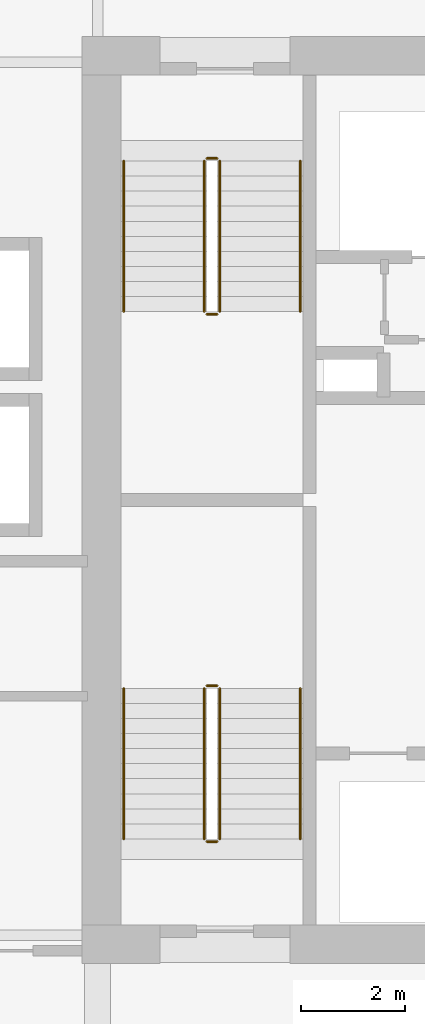
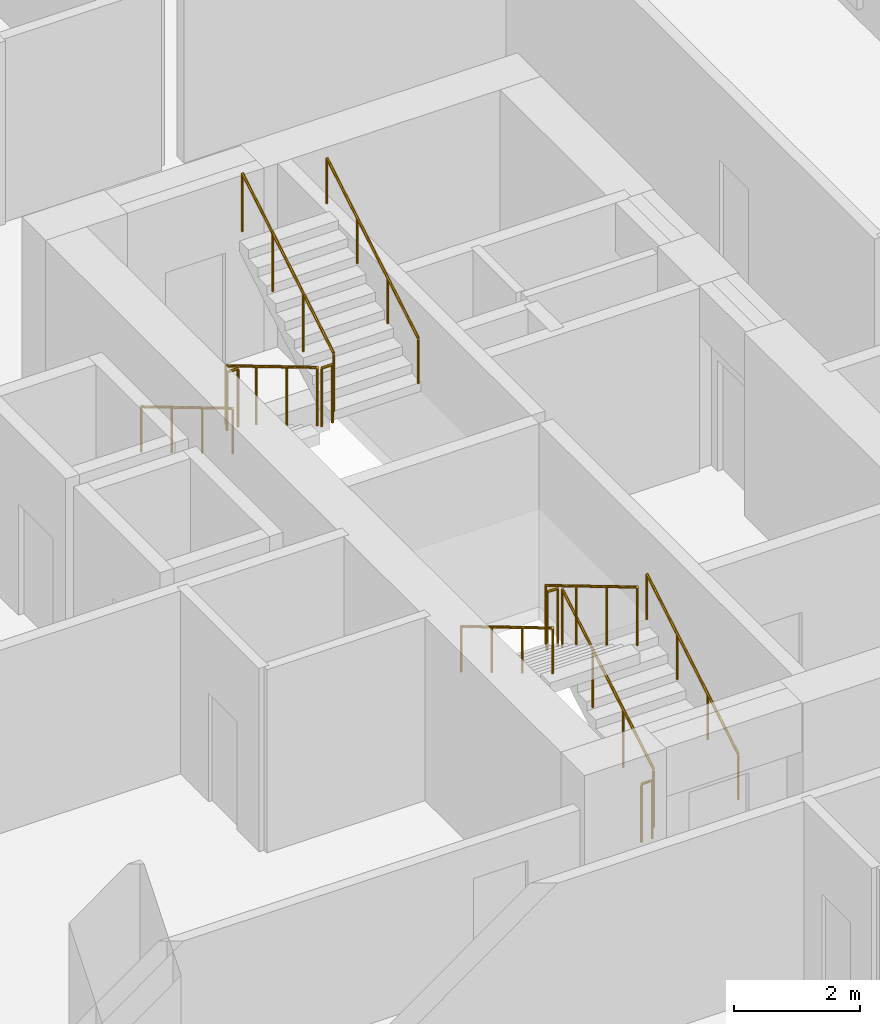
# One storey, part 21 of 22: 12 railings.
"""IFC4 building model written with IfcOpenShell, lengths in metres."""

from ifc_helpers import new_model, si_unit, direction, frame, origin, origin_2d, place, context, subcontext, project, spatial, circle, extrude, material, type_object, element, save


model = new_model("IFC4")

# Units and contexts
model_context = context("Model", 3, precision=1e-05, world=origin(), true_north=direction((0.0, 1.0)))
body_context = subcontext(model_context, "Body", "Model", "MODEL_VIEW")
ifc_project = project(units=[si_unit("LENGTHUNIT", "METRE"), si_unit("AREAUNIT", "SQUARE_METRE"), si_unit("VOLUMEUNIT", "CUBIC_METRE"), si_unit("PLANEANGLEUNIT", "RADIAN"), si_unit("MASSUNIT", "GRAM", prefix="KILO")], contexts=[model_context])

# Site, building, storey
site_placement = place(None, origin())
site = spatial("IfcSite", under=ifc_project, at=site_placement, CompositionType="ELEMENT")
building_placement = place(site_placement, origin())
building = spatial("IfcBuilding", under=site, at=building_placement, Name="Koriwani Terraces Tower", CompositionType="ELEMENT")
storey_placement = place(building_placement, frame((0.0, 0.0, 141.800048828125)))
storey = spatial("IfcBuildingStorey", under=building, at=storey_placement, Name="L34", CompositionType="ELEMENT", Elevation=141.800048828125)

# Railings
ifc_material = material(Name="Steel ASTM A572 Grade 50", Category="steel")
railing_type_1 = type_object("IfcRailingType", Name="GUARD_STAIR_WELL_1120", PredefinedType="GUARDRAIL", material=ifc_material)
railing_1_placement = place(storey_placement, frame((19.14990234375, 43.85009765625, 0.172607421875)))
element("IfcRailing", 1, at=railing_1_placement, inside=storey, type_object=railing_type_1, Name="L34 ST-W1 stair guard 1", PredefinedType="GUARDRAIL", context=body_context, shape_type="SweptSolid", body=[
    extrude(circle(Radius=0.02392578125, at=origin_2d()), frame((0.0, 0.0, 1.1259765625), z_axis=(0.0, 0.859141464434, 0.511738159696), x_axis=(-1.0, 0.0, 0.0)), (0.0, 0.0, 1.0), 3.375244140625),
    extrude(circle(Radius=0.02099609375, at=origin_2d()), origin(), (0.0, 0.0, 1.0), 1.101806640625),
    extrude(circle(Radius=0.02099609375, at=origin_2d()), frame((0.0, 0.966552734375, 0.57568359375)), (0.0, 0.0, 1.0), 1.101806640625),
    extrude(circle(Radius=0.02099609375, at=origin_2d()), frame((0.0, 1.933349609375, 1.151611328125)), (0.0, 0.0, 1.0), 1.101806640625),
    extrude(circle(Radius=0.02099609375, at=origin_2d()), frame((0.0, 2.89990234375, 1.727294921875)), (0.0, 0.0, 1.0), 1.101806640625),
])
railing_2_placement = place(storey_placement, frame((19.10009765625, 46.800048828125, 1.89990234375)))
element("IfcRailing", 2, at=railing_2_placement, inside=storey, type_object=railing_type_1, Name="L34 ST-W1 stair guard 2", PredefinedType="GUARDRAIL", context=body_context, shape_type="SweptSolid", body=[
    extrude(circle(Radius=0.02392578125, at=origin_2d()), frame((0.0, 0.0, 1.1259765625), z_axis=(-1.0, 0.0, 0.0), x_axis=(0.0, -1.0, 0.0)), (0.0, 0.0, 1.0), 0.2001953125),
    extrude(circle(Radius=0.02099609375, at=origin_2d()), origin(), (0.0, 0.0, 1.0), 1.101806640625),
    extrude(circle(Radius=0.02099609375, at=origin_2d()), frame((-0.2001953125, 0.0, 0.0)), (0.0, 0.0, 1.0), 1.101806640625),
])
railing_3_placement = place(storey_placement, frame((18.85009765625, 46.75, 2.07275390625)))
element("IfcRailing", 3, at=railing_3_placement, inside=storey, type_object=railing_type_1, Name="L34 ST-W1 stair guard 3", PredefinedType="GUARDRAIL", context=body_context, shape_type="SweptSolid", body=[
    extrude(circle(Radius=0.02392578125, at=origin_2d()), frame((0.0, 0.0, 1.1259765625), z_axis=(0.0, -0.859141464434, 0.511738159696), x_axis=(1.0, 0.0, 0.0)), (0.0, 0.0, 1.0), 3.375244140625),
    extrude(circle(Radius=0.02099609375, at=origin_2d()), origin(), (0.0, 0.0, 1.0), 1.101806640625),
    extrude(circle(Radius=0.02099609375, at=origin_2d()), frame((0.0, -0.966552734375, 0.57568359375)), (0.0, 0.0, 1.0), 1.101806640625),
    extrude(circle(Radius=0.02099609375, at=origin_2d()), frame((0.0, -1.933349609375, 1.151611328125)), (0.0, 0.0, 1.0), 1.101806640625),
    extrude(circle(Radius=0.02099609375, at=origin_2d()), frame((0.0, -2.89990234375, 1.727294921875)), (0.0, 0.0, 1.0), 1.101806640625),
])
railing_4_placement = place(storey_placement, frame((19.10009765625, 43.800048828125, 0.0)))
element("IfcRailing", 4, at=railing_4_placement, inside=storey, type_object=railing_type_1, Name="L34 ST-W1 stair guard 4", PredefinedType="GUARDRAIL", context=body_context, shape_type="SweptSolid", body=[
    extrude(circle(Radius=0.02392578125, at=origin_2d()), frame((0.0, 0.0, 1.1259765625), z_axis=(-1.0, 0.0, 0.0), x_axis=(0.0, -1.0, 0.0)), (0.0, 0.0, 1.0), 0.2001953125),
    extrude(circle(Radius=0.02099609375, at=origin_2d()), origin(), (0.0, 0.0, 1.0), 1.101806640625),
    extrude(circle(Radius=0.02099609375, at=origin_2d()), frame((-0.2001953125, 0.0, 0.0)), (0.0, 0.0, 1.0), 1.101806640625),
])
railing_5_placement = place(storey_placement, frame((18.85009765625, 56.89990234375, 0.172607421875)))
element("IfcRailing", 5, at=railing_5_placement, inside=storey, type_object=railing_type_1, Name="L34 ST-W2 stair guard 1", PredefinedType="GUARDRAIL", context=body_context, shape_type="SweptSolid", body=[
    extrude(circle(Radius=0.02392578125, at=origin_2d()), frame((0.0, 0.0, 1.1259765625), z_axis=(0.0, -0.859141464434, 0.511738159696), x_axis=(1.0, 0.0, 0.0)), (0.0, 0.0, 1.0), 3.375244140625),
    extrude(circle(Radius=0.02099609375, at=origin_2d()), origin(), (0.0, 0.0, 1.0), 1.101806640625),
    extrude(circle(Radius=0.02099609375, at=origin_2d()), frame((0.0, -0.966552734375, 0.57568359375)), (0.0, 0.0, 1.0), 1.101806640625),
    extrude(circle(Radius=0.02099609375, at=origin_2d()), frame((0.0, -1.933349609375, 1.151611328125)), (0.0, 0.0, 1.0), 1.101806640625),
    extrude(circle(Radius=0.02099609375, at=origin_2d()), frame((0.0, -2.89990234375, 1.727294921875)), (0.0, 0.0, 1.0), 1.101806640625),
])
railing_6_placement = place(storey_placement, frame((18.89990234375, 53.949951171875, 1.89990234375)))
element("IfcRailing", 6, at=railing_6_placement, inside=storey, type_object=railing_type_1, Name="L34 ST-W2 stair guard 2", PredefinedType="GUARDRAIL", context=body_context, shape_type="SweptSolid", body=[
    extrude(circle(Radius=0.02392578125, at=origin_2d()), frame((0.0, 0.0, 1.1259765625), z_axis=(1.0, 0.0, 0.0), x_axis=(0.0, 1.0, 0.0)), (0.0, 0.0, 1.0), 0.2001953125),
    extrude(circle(Radius=0.02099609375, at=origin_2d()), origin(), (0.0, 0.0, 1.0), 1.101806640625),
    extrude(circle(Radius=0.02099609375, at=origin_2d()), frame((0.2001953125, 0.0, 0.0)), (0.0, 0.0, 1.0), 1.101806640625),
])
railing_7_placement = place(storey_placement, frame((19.14990234375, 54.0, 2.07275390625)))
element("IfcRailing", 7, at=railing_7_placement, inside=storey, type_object=railing_type_1, Name="L34 ST-W2 stair guard 3", PredefinedType="GUARDRAIL", context=body_context, shape_type="SweptSolid", body=[
    extrude(circle(Radius=0.02392578125, at=origin_2d()), frame((0.0, 0.0, 1.1259765625), z_axis=(0.0, 0.859141464434, 0.511738159696), x_axis=(-1.0, 0.0, 0.0)), (0.0, 0.0, 1.0), 3.375244140625),
    extrude(circle(Radius=0.02099609375, at=origin_2d()), origin(), (0.0, 0.0, 1.0), 1.101806640625),
    extrude(circle(Radius=0.02099609375, at=origin_2d()), frame((0.0, 0.966552734375, 0.57568359375)), (0.0, 0.0, 1.0), 1.101806640625),
    extrude(circle(Radius=0.02099609375, at=origin_2d()), frame((0.0, 1.933349609375, 1.151611328125)), (0.0, 0.0, 1.0), 1.101806640625),
    extrude(circle(Radius=0.02099609375, at=origin_2d()), frame((0.0, 2.89990234375, 1.727294921875)), (0.0, 0.0, 1.0), 1.101806640625),
])
railing_8_placement = place(storey_placement, frame((18.89990234375, 56.949951171875, 0.0)))
element("IfcRailing", 8, at=railing_8_placement, inside=storey, type_object=railing_type_1, Name="L34 ST-W2 stair guard 4", PredefinedType="GUARDRAIL", context=body_context, shape_type="SweptSolid", body=[
    extrude(circle(Radius=0.02392578125, at=origin_2d()), frame((0.0, 0.0, 1.1259765625), z_axis=(1.0, 0.0, 0.0), x_axis=(0.0, 1.0, 0.0)), (0.0, 0.0, 1.0), 0.2001953125),
    extrude(circle(Radius=0.02099609375, at=origin_2d()), origin(), (0.0, 0.0, 1.0), 1.101806640625),
    extrude(circle(Radius=0.02099609375, at=origin_2d()), frame((0.2001953125, 0.0, 0.0)), (0.0, 0.0, 1.0), 1.101806640625),
])
railing_type_2 = type_object("IfcRailingType", Name="HANDRAIL_STAIR_920", PredefinedType="HANDRAIL", material=ifc_material)
railing_9_placement = place(storey_placement, frame((20.699951171875, 43.85009765625, 0.172607421875)))
element("IfcRailing", 9, at=railing_9_placement, inside=storey, type_object=railing_type_2, Name="L34 ST-W1 stair handrail 1", PredefinedType="HANDRAIL", context=body_context, shape_type="SweptSolid", body=[
    extrude(circle(Radius=0.02392578125, at=origin_2d()), frame((0.0, 0.0, 0.8759765625), z_axis=(0.0, 0.859141464434, 0.511738159696), x_axis=(-1.0, 0.0, 0.0)), (0.0, 0.0, 1.0), 3.375244140625),
    extrude(circle(Radius=0.02099609375, at=origin_2d()), origin(), (0.0, 0.0, 1.0), 0.851806640625),
    extrude(circle(Radius=0.02099609375, at=origin_2d()), frame((0.0, 0.966552734375, 0.57568359375)), (0.0, 0.0, 1.0), 0.851806640625),
    extrude(circle(Radius=0.02099609375, at=origin_2d()), frame((0.0, 1.933349609375, 1.151611328125)), (0.0, 0.0, 1.0), 0.851806640625),
    extrude(circle(Radius=0.02099609375, at=origin_2d()), frame((0.0, 2.89990234375, 1.727294921875)), (0.0, 0.0, 1.0), 0.851806640625),
])
for number, where, name in (
    (10, (17.300048828125, 46.75, 2.07275390625), "L34 ST-W1 stair handrail 2"),
    (11, (17.300048828125, 56.89990234375, 0.172607421875), "L34 ST-W2 stair handrail 1"),
):
    element("IfcRailing", number, at=place(storey_placement, frame(where)), inside=storey, type_object=railing_type_2, Name=name, PredefinedType="HANDRAIL", context=body_context, shape_type="SweptSolid", body=[
        extrude(circle(Radius=0.02392578125, at=origin_2d()), frame((0.0, 0.0, 0.8759765625), z_axis=(0.0, -0.859141464434, 0.511738159696), x_axis=(1.0, 0.0, 0.0)), (0.0, 0.0, 1.0), 3.375244140625),
        extrude(circle(Radius=0.02099609375, at=origin_2d()), origin(), (0.0, 0.0, 1.0), 0.851806640625),
        extrude(circle(Radius=0.02099609375, at=origin_2d()), frame((0.0, -0.966552734375, 0.57568359375)), (0.0, 0.0, 1.0), 0.851806640625),
        extrude(circle(Radius=0.02099609375, at=origin_2d()), frame((0.0, -1.933349609375, 1.151611328125)), (0.0, 0.0, 1.0), 0.851806640625),
        extrude(circle(Radius=0.02099609375, at=origin_2d()), frame((0.0, -2.89990234375, 1.727294921875)), (0.0, 0.0, 1.0), 0.851806640625),
    ])
railing_10_placement = place(storey_placement, frame((20.699951171875, 54.0, 2.07275390625)))
element("IfcRailing", 12, at=railing_10_placement, inside=storey, type_object=railing_type_2, Name="L34 ST-W2 stair handrail 2", PredefinedType="HANDRAIL", context=body_context, shape_type="SweptSolid", body=[
    extrude(circle(Radius=0.02392578125, at=origin_2d()), frame((0.0, 0.0, 0.8759765625), z_axis=(0.0, 0.859141464434, 0.511738159696), x_axis=(-1.0, 0.0, 0.0)), (0.0, 0.0, 1.0), 3.375244140625),
    extrude(circle(Radius=0.02099609375, at=origin_2d()), origin(), (0.0, 0.0, 1.0), 0.851806640625),
    extrude(circle(Radius=0.02099609375, at=origin_2d()), frame((0.0, 0.966552734375, 0.57568359375)), (0.0, 0.0, 1.0), 0.851806640625),
    extrude(circle(Radius=0.02099609375, at=origin_2d()), frame((0.0, 1.933349609375, 1.151611328125)), (0.0, 0.0, 1.0), 0.851806640625),
    extrude(circle(Radius=0.02099609375, at=origin_2d()), frame((0.0, 2.89990234375, 1.727294921875)), (0.0, 0.0, 1.0), 0.851806640625),
])

save(model, "model.ifc")
